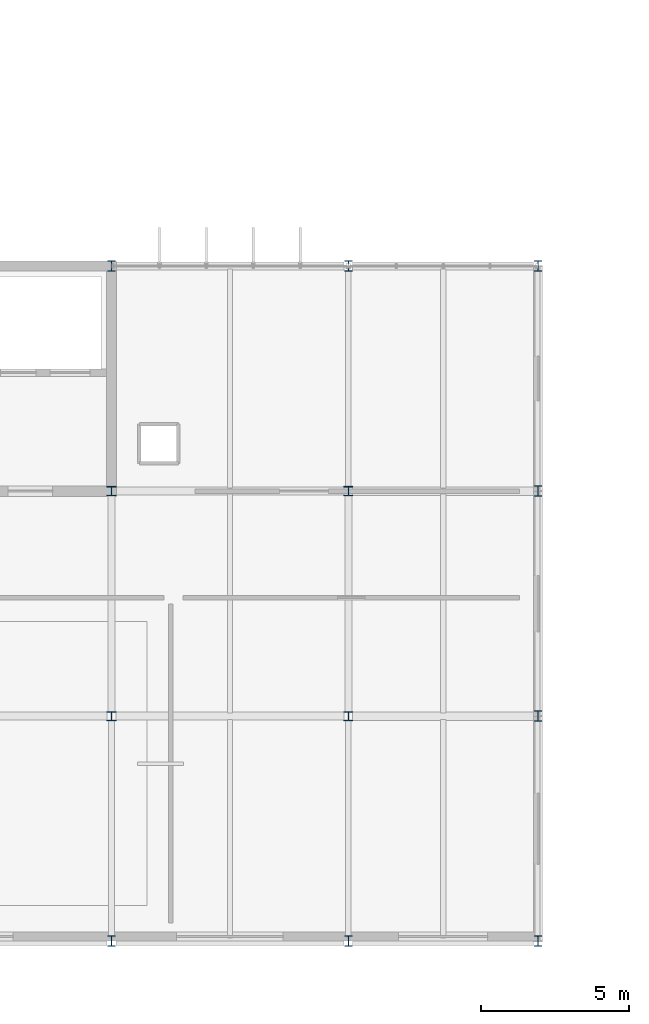
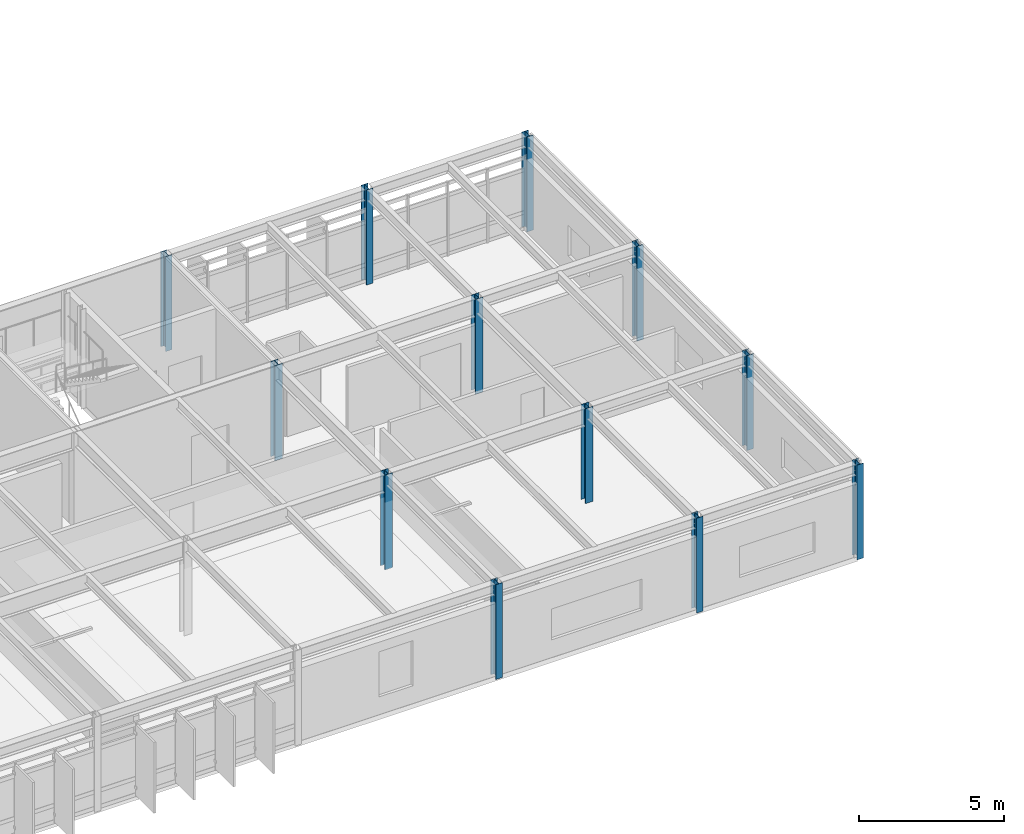
# One storey, part 3 of 21: 12 columns.
"""IFC4 building model written with IfcOpenShell, lengths in metres."""

from ifc_helpers import new_model, si_unit, direction, frame, origin, origin_2d, place, context, subcontext, project, spatial, i_section, extrude, material, material_profile, profile_set, type_object, element, save


model = new_model("IFC4")

# Units and contexts
model_context = context("Model", 3, precision=1e-05, world=origin(), true_north=direction((0.0, 1.0)))
body_context = subcontext(model_context, "Body", "Model", "MODEL_VIEW")
ifc_project = project(units=[si_unit("LENGTHUNIT", "METRE"), si_unit("AREAUNIT", "SQUARE_METRE"), si_unit("VOLUMEUNIT", "CUBIC_METRE"), si_unit("PLANEANGLEUNIT", "RADIAN"), si_unit("MASSUNIT", "GRAM", prefix="KILO")], contexts=[model_context])

# Site, building, storey
site_placement = place(None, origin())
site = spatial("IfcSite", under=ifc_project, at=site_placement, CompositionType="ELEMENT")
building_placement = place(site_placement, origin())
building = spatial("IfcBuilding", under=site, at=building_placement, Name="Zulena Civic Courthouse", CompositionType="ELEMENT")
storey_placement = place(building_placement, frame((0.0, 0.0, 37.800048828125)))
storey = spatial("IfcBuildingStorey", under=building, at=storey_placement, Name="L08", CompositionType="ELEMENT", Elevation=37.800048828125)

# Columns
ifc_material = material(Name="Steel ASTM A992 Grade 50", Category="steel")
ifc_material_profile_1 = material_profile(ifc_material, i_section(OverallWidth=0.306884765625, OverallDepth=0.31396484375, WebThickness=0.011962890625, FlangeThickness=0.018798828125, FilletRadius=0.01513671875, at=origin_2d()), Name="W12X79")
ifc_profile_set_1 = profile_set([ifc_material_profile_1], Name="Steel ASTM A992 Grade 50")
column_type_1 = type_object("IfcColumnType", Name="Col_W12X79", PredefinedType="COLUMN", material=ifc_profile_set_1)
for number, where, z_axis, x_axis, name in (
    (1, (52.0, 7.60009765625, 0.0), (0.0, 0.0, 1.0), (1.0, 0.0, 0.0), "col:V2:L08:52.0:7.6"),
    (2, (52.0, 15.199951171875, 0.0), (0.0, 0.0, 1.0), (1.0, 0.0, 0.0), "col:V2:L08:52.0:15.2"),
    (3, (60.0, 7.60009765625, 0.0), (0.0, 0.0, 1.0), (1.0, 0.0, 0.0), "col:V2:L08:60.0:7.6"),
    (4, (60.0, 15.199951171875, 0.0), (0.0, 0.0, 1.0), (1.0, 0.0, 0.0), "col:V2:L08:60.0:15.2"),
):
    element("IfcColumn", number, at=place(storey_placement, frame(where, z_axis=z_axis, x_axis=x_axis)), inside=storey, type_object=column_type_1, Name=name, PredefinedType="COLUMN", context=body_context, shape_type="SweptSolid", body=[
        extrude(i_section(OverallWidth=0.306884765625, OverallDepth=0.31396484375, WebThickness=0.011962890625, FlangeThickness=0.018798828125, FilletRadius=0.01513671875, at=origin_2d()), origin(), (0.0, 0.0, 1.0), 4.0),
    ])
ifc_material_profile_2 = material_profile(ifc_material, i_section(OverallWidth=0.2548828125, OverallDepth=0.35693359375, WebThickness=0.010498046875, FlangeThickness=0.018310546875, FilletRadius=0.01513671875, at=origin_2d()), Name="W14X68")
ifc_profile_set_2 = profile_set([ifc_material_profile_2], Name="Steel ASTM A992 Grade 50")
column_type_2 = type_object("IfcColumnType", Name="Col_W14X68", PredefinedType="COLUMN", material=ifc_profile_set_2)
for number, where, z_axis, x_axis, name in (
    (5, (52.0, 0.0, 0.0), (0.0, 0.0, 1.0), (1.0, 0.0, 0.0), "col:V2:L08:52.0:0.0"),
    (6, (52.0, 22.800048828125, 0.0), (0.0, 0.0, 1.0), (1.0, 0.0, 0.0), "col:V2:L08:52.0:22.8"),
    (7, (60.0, 0.0, 0.0), (0.0, 0.0, 1.0), (1.0, 0.0, 0.0), "col:V2:L08:60.0:0.0"),
    (8, (60.0, 22.800048828125, 0.0), (0.0, 0.0, 1.0), (1.0, 0.0, 0.0), "col:V2:L08:60.0:22.8"),
    (9, (66.39990234375, 0.0, 0.0), (0.0, 0.0, 1.0), (1.0, 0.0, 0.0), "col:V2:L08:66.4:0.0"),
    (10, (66.39990234375, 7.60009765625, 0.0), (0.0, 0.0, 1.0), (1.0, 0.0, 0.0), "col:V2:L08:66.4:7.6"),
    (11, (66.39990234375, 15.199951171875, 0.0), (0.0, 0.0, 1.0), (1.0, 0.0, 0.0), "col:V2:L08:66.4:15.2"),
    (12, (66.39990234375, 22.800048828125, 0.0), (0.0, 0.0, 1.0), (1.0, 0.0, 0.0), "col:V2:L08:66.4:22.8"),
):
    element("IfcColumn", number, at=place(storey_placement, frame(where, z_axis=z_axis, x_axis=x_axis)), inside=storey, type_object=column_type_2, Name=name, PredefinedType="COLUMN", context=body_context, shape_type="SweptSolid", body=[
        extrude(i_section(OverallWidth=0.2548828125, OverallDepth=0.35693359375, WebThickness=0.010498046875, FlangeThickness=0.018310546875, FilletRadius=0.01513671875, at=origin_2d()), origin(), (0.0, 0.0, 1.0), 4.0),
    ])

save(model, "model.ifc")
